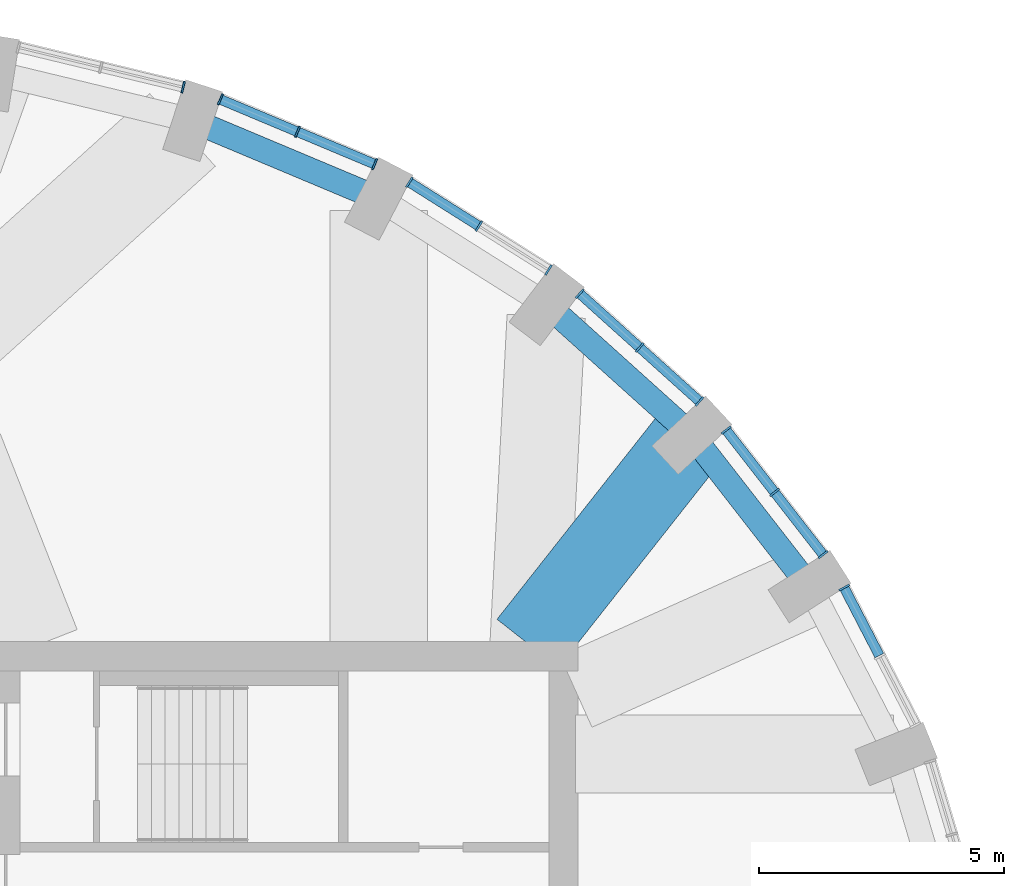
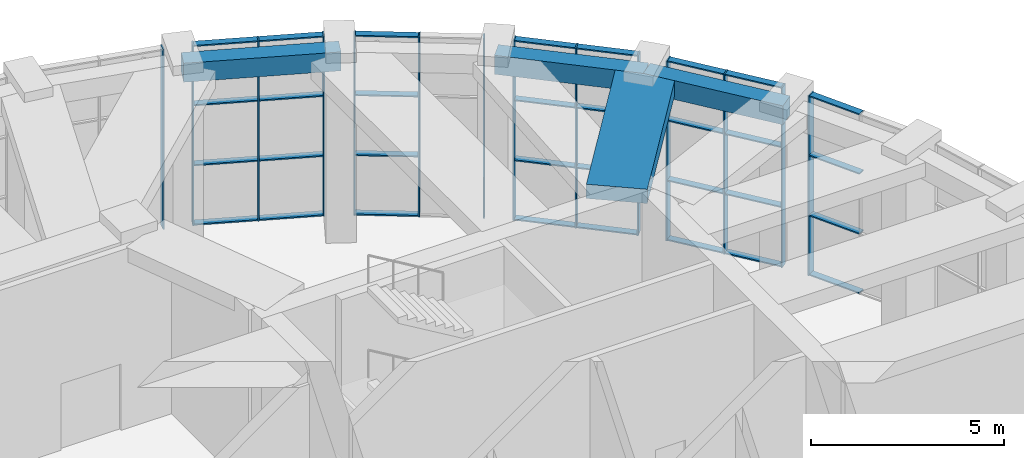
# One storey, part 11 of 20: 46 members, 4 beams, 6 elements without a shape of their own.
"""IFC4 building model written with IfcOpenShell, lengths in metres."""

from ifc_helpers import new_model, si_unit, direction, frame, origin, origin_2d, place, context, subcontext, project, spatial, rectangle, extrude, material, material_profile, profile_set, type_object, element, aggregate, save


model = new_model("IFC4")

# Units and contexts
model_context = context("Model", 3, precision=1e-05, world=origin(), true_north=direction((0.0, 1.0)))
body_context = subcontext(model_context, "Body", "Model", "MODEL_VIEW")
ifc_project = project(units=[si_unit("LENGTHUNIT", "METRE"), si_unit("AREAUNIT", "SQUARE_METRE"), si_unit("VOLUMEUNIT", "CUBIC_METRE"), si_unit("PLANEANGLEUNIT", "RADIAN"), si_unit("MASSUNIT", "GRAM", prefix="KILO")], contexts=[model_context])

# Site, building, storey
site_placement = place(None, origin())
site = spatial("IfcSite", under=ifc_project, at=site_placement, CompositionType="ELEMENT")
building_placement = place(site_placement, origin())
building = spatial("IfcBuilding", under=site, at=building_placement, Name="Taillehof Tower", CompositionType="ELEMENT")
storey_placement = place(building_placement, frame((0.0, 0.0, 269.199951171875)))
storey = spatial("IfcBuildingStorey", under=building, at=storey_placement, Name="L76", CompositionType="ELEMENT", Elevation=269.199951171875)

# Curtain wall, member
ifc_material_1 = material(Name="Aluminium curtain wall with Clear toughened laminated glass", Category="aluminium")
curtain_wall_type = type_object("IfcCurtainWallType", Name="Observation deck curtain wall", PredefinedType="USERDEFINED", material=ifc_material_1)
curtain_wall_1_placement = place(storey_placement, origin())
curtain_wall_1 = element("IfcCurtainWall", 1, at=curtain_wall_1_placement, inside=storey, type_object=curtain_wall_type, Name="Observation deck L76 bay 3", ObjectType="WINDOW WALL", PredefinedType="USERDEFINED")
ifc_material_2 = material(Name="Aluminium mullion", Category="aluminium")
ifc_material_profile_1 = material_profile(ifc_material_2, rectangle(XDim=0.239990234375, YDim=0.0400390625, at=origin_2d()), Name="AL 40x240")
ifc_profile_set_1 = profile_set([ifc_material_profile_1], Name="Aluminium mullion")
member_type_1 = type_object("IfcMemberType", Name="Observation deck mullion 40x240", PredefinedType="MULLION", material=ifc_profile_set_1)
member_1_placement = place(storey_placement, frame((21.4345703125, 11.10205078125, 0.0), z_axis=(0.0, 0.0, 1.0), x_axis=(-0.887975262702, -0.459891218474, 0.0)))
member_1 = element("IfcMember", 2, at=member_1_placement, type_object=member_type_1, Name="CT6E03 mullion 3", PredefinedType="MULLION", context=body_context, shape_type="SweptSolid", body=[
    extrude(rectangle(XDim=0.239990234375, YDim=0.0400390625, at=origin_2d()), origin(), (0.0, 0.0, 1.0), 5.699951171875),
])

# Curtain wall, members
curtain_wall_2_placement = place(storey_placement, origin())
curtain_wall_2 = element("IfcCurtainWall", 3, at=curtain_wall_2_placement, inside=storey, type_object=curtain_wall_type, Name="Observation deck L76 bay 4", ObjectType="WINDOW WALL", PredefinedType="USERDEFINED")
member_2_placement = place(storey_placement, frame((21.003173828125, 11.775634765625, 0.0), z_axis=(0.0, 0.0, 1.0), x_axis=(-0.789381612432, -0.613902818005, 0.0)))
member_2 = element("IfcMember", 4, at=member_2_placement, type_object=member_type_1, Name="CT6E04 mullion 1", PredefinedType="MULLION", context=body_context, shape_type="SweptSolid", body=[
    extrude(rectangle(XDim=0.239990234375, YDim=0.0400390625, at=origin_2d()), origin(), (0.0, 0.0, 1.0), 5.699951171875),
])
member_3_placement = place(storey_placement, frame((20.013427734375, 13.04833984375, 0.0), z_axis=(0.0, 0.0, 1.0), x_axis=(-0.789381612432, -0.613902818005, 0.0)))
member_3 = element("IfcMember", 5, at=member_3_placement, type_object=member_type_1, Name="CT6E04 mullion 2", PredefinedType="MULLION", context=body_context, shape_type="SweptSolid", body=[
    extrude(rectangle(XDim=0.239990234375, YDim=0.0400390625, at=origin_2d()), origin(), (0.0, 0.0, 1.0), 5.699951171875),
])
member_4_placement = place(storey_placement, frame((19.023681640625, 14.321044921875, 0.0), z_axis=(0.0, 0.0, 1.0), x_axis=(-0.789381612432, -0.613902818005, 0.0)))
member_4 = element("IfcMember", 6, at=member_4_placement, type_object=member_type_1, Name="CT6E04 mullion 3", PredefinedType="MULLION", context=body_context, shape_type="SweptSolid", body=[
    extrude(rectangle(XDim=0.239990234375, YDim=0.0400390625, at=origin_2d()), origin(), (0.0, 0.0, 1.0), 5.699951171875),
])

curtain_wall_3_placement = place(storey_placement, origin())
curtain_wall_3 = element("IfcCurtainWall", 7, at=curtain_wall_3_placement, inside=storey, type_object=curtain_wall_type, Name="Observation deck L76 bay 5", ObjectType="WINDOW WALL", PredefinedType="USERDEFINED")
member_5_placement = place(storey_placement, frame((18.478759765625, 14.90673828125, 0.0), z_axis=(0.0, 0.0, 1.0), x_axis=(-0.669107157872, -0.74316593792, 0.0)))
member_5 = element("IfcMember", 8, at=member_5_placement, type_object=member_type_1, Name="CT6E05 mullion 1", PredefinedType="MULLION", context=body_context, shape_type="SweptSolid", body=[
    extrude(rectangle(XDim=0.239990234375, YDim=0.0400390625, at=origin_2d()), origin(), (0.0, 0.0, 1.0), 5.699951171875),
])
member_6_placement = place(storey_placement, frame((17.255126953125, 16.00830078125, 0.0), z_axis=(0.0, 0.0, 1.0), x_axis=(-0.669107157872, -0.74316593792, 0.0)))
member_6 = element("IfcMember", 9, at=member_6_placement, type_object=member_type_1, Name="CT6E05 mullion 2", PredefinedType="MULLION", context=body_context, shape_type="SweptSolid", body=[
    extrude(rectangle(XDim=0.239990234375, YDim=0.0400390625, at=origin_2d()), origin(), (0.0, 0.0, 1.0), 5.699951171875),
])
member_7_placement = place(storey_placement, frame((16.031494140625, 17.110107421875, 0.0), z_axis=(0.0, 0.0, 1.0), x_axis=(-0.669107157872, -0.74316593792, 0.0)))
member_7 = element("IfcMember", 10, at=member_7_placement, type_object=member_type_1, Name="CT6E05 mullion 3", PredefinedType="MULLION", context=body_context, shape_type="SweptSolid", body=[
    extrude(rectangle(XDim=0.239990234375, YDim=0.0400390625, at=origin_2d()), origin(), (0.0, 0.0, 1.0), 5.699951171875),
])

curtain_wall_4_placement = place(storey_placement, origin())
curtain_wall_4 = element("IfcCurtainWall", 11, at=curtain_wall_4_placement, inside=storey, type_object=curtain_wall_type, Name="Observation deck L76 bay 6", ObjectType="WINDOW WALL", PredefinedType="USERDEFINED")
member_8_placement = place(storey_placement, frame((15.3935546875, 17.5927734375, 0.0), z_axis=(0.0, 0.0, 1.0), x_axis=(-0.533294430468, -0.845929695916, 0.0)))
member_8 = element("IfcMember", 12, at=member_8_placement, type_object=member_type_1, Name="CT6E06 mullion 1", PredefinedType="MULLION", context=body_context, shape_type="SweptSolid", body=[
    extrude(rectangle(XDim=0.239990234375, YDim=0.0400390625, at=origin_2d()), origin(), (0.0, 0.0, 1.0), 5.699951171875),
])
member_9_placement = place(storey_placement, frame((13.972412109375, 18.48876953125, 0.0), z_axis=(0.0, 0.0, 1.0), x_axis=(-0.533294430468, -0.845929695916, 0.0)))
member_9 = element("IfcMember", 13, at=member_9_placement, type_object=member_type_1, Name="CT6E06 mullion 2", PredefinedType="MULLION", context=body_context, shape_type="SweptSolid", body=[
    extrude(rectangle(XDim=0.239990234375, YDim=0.0400390625, at=origin_2d()), origin(), (0.0, 0.0, 1.0), 5.699951171875),
])
member_10_placement = place(storey_placement, frame((12.551025390625, 19.384765625, 0.0), z_axis=(0.0, 0.0, 1.0), x_axis=(-0.533294430468, -0.845929695916, 0.0)))
member_10 = element("IfcMember", 14, at=member_10_placement, type_object=member_type_1, Name="CT6E06 mullion 3", PredefinedType="MULLION", context=body_context, shape_type="SweptSolid", body=[
    extrude(rectangle(XDim=0.239990234375, YDim=0.0400390625, at=origin_2d()), origin(), (0.0, 0.0, 1.0), 5.699951171875),
])

curtain_wall_5_placement = place(storey_placement, origin())
curtain_wall_5 = element("IfcCurtainWall", 15, at=curtain_wall_5_placement, inside=storey, type_object=curtain_wall_type, Name="Observation deck L76 bay 7", ObjectType="WINDOW WALL", PredefinedType="USERDEFINED")
member_11_placement = place(storey_placement, frame((11.84130859375, 19.754150390625, 0.0), z_axis=(0.0, 0.0, 1.0), x_axis=(-0.387100713636, -0.922037438233, 0.0)))
member_11 = element("IfcMember", 16, at=member_11_placement, type_object=member_type_1, Name="CT6E07 mullion 1", PredefinedType="MULLION", context=body_context, shape_type="SweptSolid", body=[
    extrude(rectangle(XDim=0.239990234375, YDim=0.0400390625, at=origin_2d()), origin(), (0.0, 0.0, 1.0), 5.699951171875),
])
member_12_placement = place(storey_placement, frame((10.26513671875, 20.415771484375, 0.0), z_axis=(0.0, 0.0, 1.0), x_axis=(-0.387100713636, -0.922037438233, 0.0)))
member_12 = element("IfcMember", 17, at=member_12_placement, type_object=member_type_1, Name="CT6E07 mullion 2", PredefinedType="MULLION", context=body_context, shape_type="SweptSolid", body=[
    extrude(rectangle(XDim=0.239990234375, YDim=0.0400390625, at=origin_2d()), origin(), (0.0, 0.0, 1.0), 5.699951171875),
])
member_13_placement = place(storey_placement, frame((8.68896484375, 21.07763671875, 0.0), z_axis=(0.0, 0.0, 1.0), x_axis=(-0.387100713636, -0.922037438233, 0.0)))
member_13 = element("IfcMember", 18, at=member_13_placement, type_object=member_type_1, Name="CT6E07 mullion 3", PredefinedType="MULLION", context=body_context, shape_type="SweptSolid", body=[
    extrude(rectangle(XDim=0.239990234375, YDim=0.0400390625, at=origin_2d()), origin(), (0.0, 0.0, 1.0), 5.699951171875),
])

# Curtain wall, member
curtain_wall_6_placement = place(storey_placement, origin())
curtain_wall_6 = element("IfcCurtainWall", 19, at=curtain_wall_6_placement, inside=storey, type_object=curtain_wall_type, Name="Observation deck L76 bay 8", ObjectType="WINDOW WALL", PredefinedType="USERDEFINED")
member_14_placement = place(storey_placement, frame((7.928955078125, 21.3271484375, 0.0), z_axis=(0.0, 0.0, 1.0), x_axis=(-0.234514520129, -0.972112616855, 0.0)))
member_14 = element("IfcMember", 20, at=member_14_placement, type_object=member_type_1, Name="CT6E08 mullion 1", PredefinedType="MULLION", context=body_context, shape_type="SweptSolid", body=[
    extrude(rectangle(XDim=0.239990234375, YDim=0.0400390625, at=origin_2d()), origin(), (0.0, 0.0, 1.0), 5.699951171875),
])
aggregate(curtain_wall_6, [member_14])

# Member
ifc_material_3 = material(Name="Aluminium transom", Category="aluminium")
ifc_material_profile_2 = material_profile(ifc_material_3, rectangle(XDim=0.199951171875, YDim=0.0400390625, at=origin_2d()), Name="AL 200x40")
ifc_profile_set_2 = profile_set([ifc_material_profile_2], Name="Aluminium transom")
member_type_2 = type_object("IfcMemberType", Name="Observation deck transom 200x40", PredefinedType="USERDEFINED", material=ifc_profile_set_2)
member_15_placement = place(storey_placement, frame((22.15283203125, 9.71533203125, 0.02001953125), z_axis=(-0.459901076525, 0.88797015705, 0.0), x_axis=(-0.88797015705, -0.459901076525, 0.0)))
member_15 = element("IfcMember", 21, at=member_15_placement, type_object=member_type_2, Name="CT6E03 transom 2.1", ObjectType="TRANSOM", PredefinedType="USERDEFINED", context=body_context, shape_type="SweptSolid", body=[
    extrude(rectangle(XDim=0.199951171875, YDim=0.0400390625, at=origin_2d()), origin(), (0.0, 0.0, 1.0), 1.54150390625),
])

member_16_placement = place(storey_placement, frame((22.15283203125, 9.71533203125, 1.900146484375), z_axis=(-0.459901076525, 0.88797015705, 0.0), x_axis=(-0.88797015705, -0.459901076525, 0.0)))
member_16 = element("IfcMember", 22, at=member_16_placement, type_object=member_type_2, Name="CT6E03 transom 2.2", ObjectType="TRANSOM", PredefinedType="USERDEFINED", context=body_context, shape_type="SweptSolid", body=[
    extrude(rectangle(XDim=0.199951171875, YDim=0.0400390625, at=origin_2d()), origin(), (0.0, 0.0, 1.0), 1.54150390625),
])

member_17_placement = place(storey_placement, frame((22.15283203125, 9.71533203125, 3.800048828125), z_axis=(-0.459901076525, 0.88797015705, 0.0), x_axis=(-0.88797015705, -0.459901076525, 0.0)))
member_17 = element("IfcMember", 23, at=member_17_placement, type_object=member_type_2, Name="CT6E03 transom 2.3", ObjectType="TRANSOM", PredefinedType="USERDEFINED", context=body_context, shape_type="SweptSolid", body=[
    extrude(rectangle(XDim=0.199951171875, YDim=0.0400390625, at=origin_2d()), origin(), (0.0, 0.0, 1.0), 1.54150390625),
])

member_18_placement = place(storey_placement, frame((22.15283203125, 9.71533203125, 5.679931640625), z_axis=(-0.459901076525, 0.88797015705, 0.0), x_axis=(-0.88797015705, -0.459901076525, 0.0)))
member_18 = element("IfcMember", 24, at=member_18_placement, type_object=member_type_2, Name="CT6E03 transom 2.4", ObjectType="TRANSOM", PredefinedType="USERDEFINED", context=body_context, shape_type="SweptSolid", body=[
    extrude(rectangle(XDim=0.199951171875, YDim=0.0400390625, at=origin_2d()), origin(), (0.0, 0.0, 1.0), 1.54150390625),
])

aggregate(curtain_wall_1, [member_1, member_15, member_16, member_17, member_18])

member_19_placement = place(storey_placement, frame((20.990966796875, 11.79150390625, 0.02001953125), z_axis=(-0.613897606681, 0.789385665256, 0.0), x_axis=(-0.789385665256, -0.613897606681, 0.0)))
member_19 = element("IfcMember", 25, at=member_19_placement, type_object=member_type_2, Name="CT6E04 transom 1.1", ObjectType="TRANSOM", PredefinedType="USERDEFINED", context=body_context, shape_type="SweptSolid", body=[
    extrude(rectangle(XDim=0.199951171875, YDim=0.0400390625, at=origin_2d()), origin(), (0.0, 0.0, 1.0), 1.572021484375),
])

member_20_placement = place(storey_placement, frame((20.990966796875, 11.79150390625, 1.900146484375), z_axis=(-0.613897606681, 0.789385665256, 0.0), x_axis=(-0.789385665256, -0.613897606681, 0.0)))
member_20 = element("IfcMember", 26, at=member_20_placement, type_object=member_type_2, Name="CT6E04 transom 1.2", ObjectType="TRANSOM", PredefinedType="USERDEFINED", context=body_context, shape_type="SweptSolid", body=[
    extrude(rectangle(XDim=0.199951171875, YDim=0.0400390625, at=origin_2d()), origin(), (0.0, 0.0, 1.0), 1.572021484375),
])

member_21_placement = place(storey_placement, frame((20.990966796875, 11.79150390625, 3.800048828125), z_axis=(-0.613897606681, 0.789385665256, 0.0), x_axis=(-0.789385665256, -0.613897606681, 0.0)))
member_21 = element("IfcMember", 27, at=member_21_placement, type_object=member_type_2, Name="CT6E04 transom 1.3", ObjectType="TRANSOM", PredefinedType="USERDEFINED", context=body_context, shape_type="SweptSolid", body=[
    extrude(rectangle(XDim=0.199951171875, YDim=0.0400390625, at=origin_2d()), origin(), (0.0, 0.0, 1.0), 1.572021484375),
])

member_22_placement = place(storey_placement, frame((20.990966796875, 11.79150390625, 5.679931640625), z_axis=(-0.613897606681, 0.789385665256, 0.0), x_axis=(-0.789385665256, -0.613897606681, 0.0)))
member_22 = element("IfcMember", 28, at=member_22_placement, type_object=member_type_2, Name="CT6E04 transom 1.4", ObjectType="TRANSOM", PredefinedType="USERDEFINED", context=body_context, shape_type="SweptSolid", body=[
    extrude(rectangle(XDim=0.199951171875, YDim=0.0400390625, at=origin_2d()), origin(), (0.0, 0.0, 1.0), 1.572021484375),
])

member_23_placement = place(storey_placement, frame((20.001220703125, 13.064208984375, 0.02001953125), z_axis=(-0.613897606681, 0.789385665256, 0.0), x_axis=(-0.789385665256, -0.613897606681, 0.0)))
member_23 = element("IfcMember", 29, at=member_23_placement, type_object=member_type_2, Name="CT6E04 transom 2.1", ObjectType="TRANSOM", PredefinedType="USERDEFINED", context=body_context, shape_type="SweptSolid", body=[
    extrude(rectangle(XDim=0.199951171875, YDim=0.0400390625, at=origin_2d()), origin(), (0.0, 0.0, 1.0), 1.572021484375),
])

member_24_placement = place(storey_placement, frame((20.001220703125, 13.064208984375, 1.900146484375), z_axis=(-0.613897606681, 0.789385665256, 0.0), x_axis=(-0.789385665256, -0.613897606681, 0.0)))
member_24 = element("IfcMember", 30, at=member_24_placement, type_object=member_type_2, Name="CT6E04 transom 2.2", ObjectType="TRANSOM", PredefinedType="USERDEFINED", context=body_context, shape_type="SweptSolid", body=[
    extrude(rectangle(XDim=0.199951171875, YDim=0.0400390625, at=origin_2d()), origin(), (0.0, 0.0, 1.0), 1.572021484375),
])

member_25_placement = place(storey_placement, frame((20.001220703125, 13.064208984375, 3.800048828125), z_axis=(-0.613897606681, 0.789385665256, 0.0), x_axis=(-0.789385665256, -0.613897606681, 0.0)))
member_25 = element("IfcMember", 31, at=member_25_placement, type_object=member_type_2, Name="CT6E04 transom 2.3", ObjectType="TRANSOM", PredefinedType="USERDEFINED", context=body_context, shape_type="SweptSolid", body=[
    extrude(rectangle(XDim=0.199951171875, YDim=0.0400390625, at=origin_2d()), origin(), (0.0, 0.0, 1.0), 1.572021484375),
])

member_26_placement = place(storey_placement, frame((20.001220703125, 13.064208984375, 5.679931640625), z_axis=(-0.613897606681, 0.789385665256, 0.0), x_axis=(-0.789385665256, -0.613897606681, 0.0)))
member_26 = element("IfcMember", 32, at=member_26_placement, type_object=member_type_2, Name="CT6E04 transom 2.4", ObjectType="TRANSOM", PredefinedType="USERDEFINED", context=body_context, shape_type="SweptSolid", body=[
    extrude(rectangle(XDim=0.199951171875, YDim=0.0400390625, at=origin_2d()), origin(), (0.0, 0.0, 1.0), 1.572021484375),
])

aggregate(curtain_wall_2, [member_2, member_3, member_4, member_19, member_20, member_21, member_22, member_23, member_24, member_25, member_26])

member_27_placement = place(storey_placement, frame((18.4638671875, 14.920166015625, 0.02001953125), z_axis=(-0.74321856764, 0.669048698313, 0.0), x_axis=(-0.669048698313, -0.74321856764, 0.0)))
member_27 = element("IfcMember", 33, at=member_27_placement, type_object=member_type_2, Name="CT6E05 transom 1.1", ObjectType="TRANSOM", PredefinedType="USERDEFINED", context=body_context, shape_type="SweptSolid", body=[
    extrude(rectangle(XDim=0.199951171875, YDim=0.0400390625, at=origin_2d()), origin(), (0.0, 0.0, 1.0), 1.606201171875),
])

member_28_placement = place(storey_placement, frame((18.4638671875, 14.920166015625, 1.900146484375), z_axis=(-0.74321856764, 0.669048698313, 0.0), x_axis=(-0.669048698313, -0.74321856764, 0.0)))
member_28 = element("IfcMember", 34, at=member_28_placement, type_object=member_type_2, Name="CT6E05 transom 1.2", ObjectType="TRANSOM", PredefinedType="USERDEFINED", context=body_context, shape_type="SweptSolid", body=[
    extrude(rectangle(XDim=0.199951171875, YDim=0.0400390625, at=origin_2d()), origin(), (0.0, 0.0, 1.0), 1.606201171875),
])

member_29_placement = place(storey_placement, frame((18.4638671875, 14.920166015625, 3.800048828125), z_axis=(-0.74321856764, 0.669048698313, 0.0), x_axis=(-0.669048698313, -0.74321856764, 0.0)))
member_29 = element("IfcMember", 35, at=member_29_placement, type_object=member_type_2, Name="CT6E05 transom 1.3", ObjectType="TRANSOM", PredefinedType="USERDEFINED", context=body_context, shape_type="SweptSolid", body=[
    extrude(rectangle(XDim=0.199951171875, YDim=0.0400390625, at=origin_2d()), origin(), (0.0, 0.0, 1.0), 1.606201171875),
])

member_30_placement = place(storey_placement, frame((18.4638671875, 14.920166015625, 5.679931640625), z_axis=(-0.74321856764, 0.669048698313, 0.0), x_axis=(-0.669048698313, -0.74321856764, 0.0)))
member_30 = element("IfcMember", 36, at=member_30_placement, type_object=member_type_2, Name="CT6E05 transom 1.4", ObjectType="TRANSOM", PredefinedType="USERDEFINED", context=body_context, shape_type="SweptSolid", body=[
    extrude(rectangle(XDim=0.199951171875, YDim=0.0400390625, at=origin_2d()), origin(), (0.0, 0.0, 1.0), 1.606201171875),
])

member_31_placement = place(storey_placement, frame((17.240234375, 16.021728515625, 0.02001953125), z_axis=(-0.74314299492, 0.669132639393, 0.0), x_axis=(-0.669132639393, -0.74314299492, 0.0)))
member_31 = element("IfcMember", 37, at=member_31_placement, type_object=member_type_2, Name="CT6E05 transom 2.1", ObjectType="TRANSOM", PredefinedType="USERDEFINED", context=body_context, shape_type="SweptSolid", body=[
    extrude(rectangle(XDim=0.199951171875, YDim=0.0400390625, at=origin_2d()), origin(), (0.0, 0.0, 1.0), 1.6064453125),
])

member_32_placement = place(storey_placement, frame((17.240234375, 16.021728515625, 1.900146484375), z_axis=(-0.74314299492, 0.669132639393, 0.0), x_axis=(-0.669132639393, -0.74314299492, 0.0)))
member_32 = element("IfcMember", 38, at=member_32_placement, type_object=member_type_2, Name="CT6E05 transom 2.2", ObjectType="TRANSOM", PredefinedType="USERDEFINED", context=body_context, shape_type="SweptSolid", body=[
    extrude(rectangle(XDim=0.199951171875, YDim=0.0400390625, at=origin_2d()), origin(), (0.0, 0.0, 1.0), 1.6064453125),
])

member_33_placement = place(storey_placement, frame((17.240234375, 16.021728515625, 3.800048828125), z_axis=(-0.74314299492, 0.669132639393, 0.0), x_axis=(-0.669132639393, -0.74314299492, 0.0)))
member_33 = element("IfcMember", 39, at=member_33_placement, type_object=member_type_2, Name="CT6E05 transom 2.3", ObjectType="TRANSOM", PredefinedType="USERDEFINED", context=body_context, shape_type="SweptSolid", body=[
    extrude(rectangle(XDim=0.199951171875, YDim=0.0400390625, at=origin_2d()), origin(), (0.0, 0.0, 1.0), 1.6064453125),
])

member_34_placement = place(storey_placement, frame((17.240234375, 16.021728515625, 5.679931640625), z_axis=(-0.74314299492, 0.669132639393, 0.0), x_axis=(-0.669132639393, -0.74314299492, 0.0)))
member_34 = element("IfcMember", 40, at=member_34_placement, type_object=member_type_2, Name="CT6E05 transom 2.4", ObjectType="TRANSOM", PredefinedType="USERDEFINED", context=body_context, shape_type="SweptSolid", body=[
    extrude(rectangle(XDim=0.199951171875, YDim=0.0400390625, at=origin_2d()), origin(), (0.0, 0.0, 1.0), 1.6064453125),
])

aggregate(curtain_wall_3, [member_5, member_6, member_7, member_27, member_28, member_29, member_30, member_31, member_32, member_33, member_34])

member_35_placement = place(storey_placement, frame((13.955322265625, 18.49951171875, 0.02001953125), z_axis=(-0.84597669572, 0.533219870503, 0.0), x_axis=(-0.533219870503, -0.84597669572, 0.0)))
member_35 = element("IfcMember", 41, at=member_35_placement, type_object=member_type_2, Name="CT6E06 transom 2.1", ObjectType="TRANSOM", PredefinedType="USERDEFINED", context=body_context, shape_type="SweptSolid", body=[
    extrude(rectangle(XDim=0.199951171875, YDim=0.0400390625, at=origin_2d()), origin(), (0.0, 0.0, 1.0), 1.64013671875),
])

member_36_placement = place(storey_placement, frame((13.955322265625, 18.49951171875, 1.900146484375), z_axis=(-0.84597669572, 0.533219870503, 0.0), x_axis=(-0.533219870503, -0.84597669572, 0.0)))
member_36 = element("IfcMember", 42, at=member_36_placement, type_object=member_type_2, Name="CT6E06 transom 2.2", ObjectType="TRANSOM", PredefinedType="USERDEFINED", context=body_context, shape_type="SweptSolid", body=[
    extrude(rectangle(XDim=0.199951171875, YDim=0.0400390625, at=origin_2d()), origin(), (0.0, 0.0, 1.0), 1.64013671875),
])

member_37_placement = place(storey_placement, frame((13.955322265625, 18.49951171875, 3.800048828125), z_axis=(-0.84597669572, 0.533219870503, 0.0), x_axis=(-0.533219870503, -0.84597669572, 0.0)))
member_37 = element("IfcMember", 43, at=member_37_placement, type_object=member_type_2, Name="CT6E06 transom 2.3", ObjectType="TRANSOM", PredefinedType="USERDEFINED", context=body_context, shape_type="SweptSolid", body=[
    extrude(rectangle(XDim=0.199951171875, YDim=0.0400390625, at=origin_2d()), origin(), (0.0, 0.0, 1.0), 1.64013671875),
])

member_38_placement = place(storey_placement, frame((13.955322265625, 18.49951171875, 5.679931640625), z_axis=(-0.84597669572, 0.533219870503, 0.0), x_axis=(-0.533219870503, -0.84597669572, 0.0)))
member_38 = element("IfcMember", 44, at=member_38_placement, type_object=member_type_2, Name="CT6E06 transom 2.4", ObjectType="TRANSOM", PredefinedType="USERDEFINED", context=body_context, shape_type="SweptSolid", body=[
    extrude(rectangle(XDim=0.199951171875, YDim=0.0400390625, at=origin_2d()), origin(), (0.0, 0.0, 1.0), 1.64013671875),
])

aggregate(curtain_wall_4, [member_8, member_9, member_10, member_35, member_36, member_37, member_38])

member_39_placement = place(storey_placement, frame((11.822998046875, 19.761962890625, 0.02001953125), z_axis=(-0.922039527132, 0.387095738036, 0.0), x_axis=(-0.387095738036, -0.922039527132, 0.0)))
member_39 = element("IfcMember", 45, at=member_39_placement, type_object=member_type_2, Name="CT6E07 transom 1.1", ObjectType="TRANSOM", PredefinedType="USERDEFINED", context=body_context, shape_type="SweptSolid", body=[
    extrude(rectangle(XDim=0.199951171875, YDim=0.0400390625, at=origin_2d()), origin(), (0.0, 0.0, 1.0), 1.66943359375),
])

member_40_placement = place(storey_placement, frame((11.822998046875, 19.761962890625, 1.900146484375), z_axis=(-0.922039527132, 0.387095738036, 0.0), x_axis=(-0.387095738036, -0.922039527132, 0.0)))
member_40 = element("IfcMember", 46, at=member_40_placement, type_object=member_type_2, Name="CT6E07 transom 1.2", ObjectType="TRANSOM", PredefinedType="USERDEFINED", context=body_context, shape_type="SweptSolid", body=[
    extrude(rectangle(XDim=0.199951171875, YDim=0.0400390625, at=origin_2d()), origin(), (0.0, 0.0, 1.0), 1.66943359375),
])

member_41_placement = place(storey_placement, frame((11.822998046875, 19.761962890625, 3.800048828125), z_axis=(-0.922039527132, 0.387095738036, 0.0), x_axis=(-0.387095738036, -0.922039527132, 0.0)))
member_41 = element("IfcMember", 47, at=member_41_placement, type_object=member_type_2, Name="CT6E07 transom 1.3", ObjectType="TRANSOM", PredefinedType="USERDEFINED", context=body_context, shape_type="SweptSolid", body=[
    extrude(rectangle(XDim=0.199951171875, YDim=0.0400390625, at=origin_2d()), origin(), (0.0, 0.0, 1.0), 1.66943359375),
])

member_42_placement = place(storey_placement, frame((11.822998046875, 19.761962890625, 5.679931640625), z_axis=(-0.922039527132, 0.387095738036, 0.0), x_axis=(-0.387095738036, -0.922039527132, 0.0)))
member_42 = element("IfcMember", 48, at=member_42_placement, type_object=member_type_2, Name="CT6E07 transom 1.4", ObjectType="TRANSOM", PredefinedType="USERDEFINED", context=body_context, shape_type="SweptSolid", body=[
    extrude(rectangle(XDim=0.199951171875, YDim=0.0400390625, at=origin_2d()), origin(), (0.0, 0.0, 1.0), 1.66943359375),
])

member_43_placement = place(storey_placement, frame((10.246826171875, 20.423583984375, 0.02001953125), z_axis=(-0.922039527132, 0.387095738036, 0.0), x_axis=(-0.387095738036, -0.922039527132, 0.0)))
member_43 = element("IfcMember", 49, at=member_43_placement, type_object=member_type_2, Name="CT6E07 transom 2.1", ObjectType="TRANSOM", PredefinedType="USERDEFINED", context=body_context, shape_type="SweptSolid", body=[
    extrude(rectangle(XDim=0.199951171875, YDim=0.0400390625, at=origin_2d()), origin(), (0.0, 0.0, 1.0), 1.66943359375),
])

member_44_placement = place(storey_placement, frame((10.246826171875, 20.423583984375, 1.900146484375), z_axis=(-0.922039527132, 0.387095738036, 0.0), x_axis=(-0.387095738036, -0.922039527132, 0.0)))
member_44 = element("IfcMember", 50, at=member_44_placement, type_object=member_type_2, Name="CT6E07 transom 2.2", ObjectType="TRANSOM", PredefinedType="USERDEFINED", context=body_context, shape_type="SweptSolid", body=[
    extrude(rectangle(XDim=0.199951171875, YDim=0.0400390625, at=origin_2d()), origin(), (0.0, 0.0, 1.0), 1.66943359375),
])

member_45_placement = place(storey_placement, frame((10.246826171875, 20.423583984375, 3.800048828125), z_axis=(-0.922039527132, 0.387095738036, 0.0), x_axis=(-0.387095738036, -0.922039527132, 0.0)))
member_45 = element("IfcMember", 51, at=member_45_placement, type_object=member_type_2, Name="CT6E07 transom 2.3", ObjectType="TRANSOM", PredefinedType="USERDEFINED", context=body_context, shape_type="SweptSolid", body=[
    extrude(rectangle(XDim=0.199951171875, YDim=0.0400390625, at=origin_2d()), origin(), (0.0, 0.0, 1.0), 1.66943359375),
])

member_46_placement = place(storey_placement, frame((10.246826171875, 20.423583984375, 5.679931640625), z_axis=(-0.922039527132, 0.387095738036, 0.0), x_axis=(-0.387095738036, -0.922039527132, 0.0)))
member_46 = element("IfcMember", 52, at=member_46_placement, type_object=member_type_2, Name="CT6E07 transom 2.4", ObjectType="TRANSOM", PredefinedType="USERDEFINED", context=body_context, shape_type="SweptSolid", body=[
    extrude(rectangle(XDim=0.199951171875, YDim=0.0400390625, at=origin_2d()), origin(), (0.0, 0.0, 1.0), 1.66943359375),
])

aggregate(curtain_wall_5, [member_11, member_12, member_13, member_39, member_40, member_41, member_42, member_43, member_44, member_45, member_46])

# Beams
ifc_material_4 = material(Name="Concrete C50/60", Category="concrete")
ifc_material_profile_3 = material_profile(ifc_material_4, rectangle(XDim=1.60009765625, YDim=0.449951171875, at=origin_2d()), Name="RC 1600x450")
ifc_profile_set_3 = profile_set([ifc_material_profile_3], Name="Concrete C50/60")
beam_type_1 = type_object("IfcBeamType", Name="Radial band beam C50/60 1600x450", PredefinedType="BEAM", material=ifc_profile_set_3)
beam_1_placement = place(storey_placement, frame((18.323486328125, 14.21630859375, 5.47509765625), z_axis=(-0.619052480422, -0.785349620541, 0.0), x_axis=(0.785349620541, -0.619052480422, 0.0)))
element("IfcBeam", 53, at=beam_1_placement, inside=storey, type_object=beam_type_1, Name="Radial band beam RB05", PredefinedType="BEAM", context=body_context, shape_type="SweptSolid", body=[
    extrude(rectangle(XDim=1.60009765625, YDim=0.449951171875, at=origin_2d()), origin(), (0.0, 0.0, 1.0), 5.418701171875),
])
ifc_material_5 = material(Name="Concrete C50/60", Category="concrete")
ifc_material_profile_4 = material_profile(ifc_material_5, rectangle(XDim=0.5, YDim=0.60009765625, at=origin_2d()), Name="RC 500x600")
ifc_profile_set_4 = profile_set([ifc_material_profile_4], Name="Concrete C50/60")
beam_type_2 = type_object("IfcBeamType", Name="Spandrel beam C50/60 500x600", PredefinedType="SPANDREL", material=ifc_profile_set_4)
beam_2_placement = place(storey_placement, frame((20.72802734375, 11.125, 5.400146484375), z_axis=(-0.613970823209, 0.78932872002, 0.0), x_axis=(-0.78932872002, -0.613970823209, 0.0)))
element("IfcBeam", 54, at=beam_2_placement, inside=storey, type_object=beam_type_2, Name="Spandrel beam SB04", PredefinedType="SPANDREL", context=body_context, shape_type="SweptSolid", body=[
    extrude(rectangle(XDim=0.5, YDim=0.60009765625, at=origin_2d()), origin(), (0.0, 0.0, 1.0), 3.916259765625),
])
beam_3_placement = place(storey_placement, frame((18.323486328125, 14.21630859375, 5.400146484375), z_axis=(-0.743227182134, 0.669039128704, 0.0), x_axis=(-0.669039128704, -0.743227182134, 0.0)))
element("IfcBeam", 55, at=beam_3_placement, inside=storey, type_object=beam_type_2, Name="Spandrel beam SB05", PredefinedType="SPANDREL", context=body_context, shape_type="SweptSolid", body=[
    extrude(rectangle(XDim=0.5, YDim=0.60009765625, at=origin_2d()), origin(), (0.0, 0.0, 1.0), 3.988525390625),
])
beam_4_placement = place(storey_placement, frame((11.925048828125, 19.049560546875, 5.400146484375), z_axis=(-0.922076419735, 0.387007850267, 0.0), x_axis=(-0.387007850267, -0.922076419735, 0.0)))
element("IfcBeam", 56, at=beam_4_placement, inside=storey, type_object=beam_type_2, Name="Spandrel beam SB07", PredefinedType="SPANDREL", context=body_context, shape_type="SweptSolid", body=[
    extrude(rectangle(XDim=0.5, YDim=0.60009765625, at=origin_2d()), origin(), (0.0, 0.0, 1.0), 4.12060546875),
])

save(model, "model.ifc")
